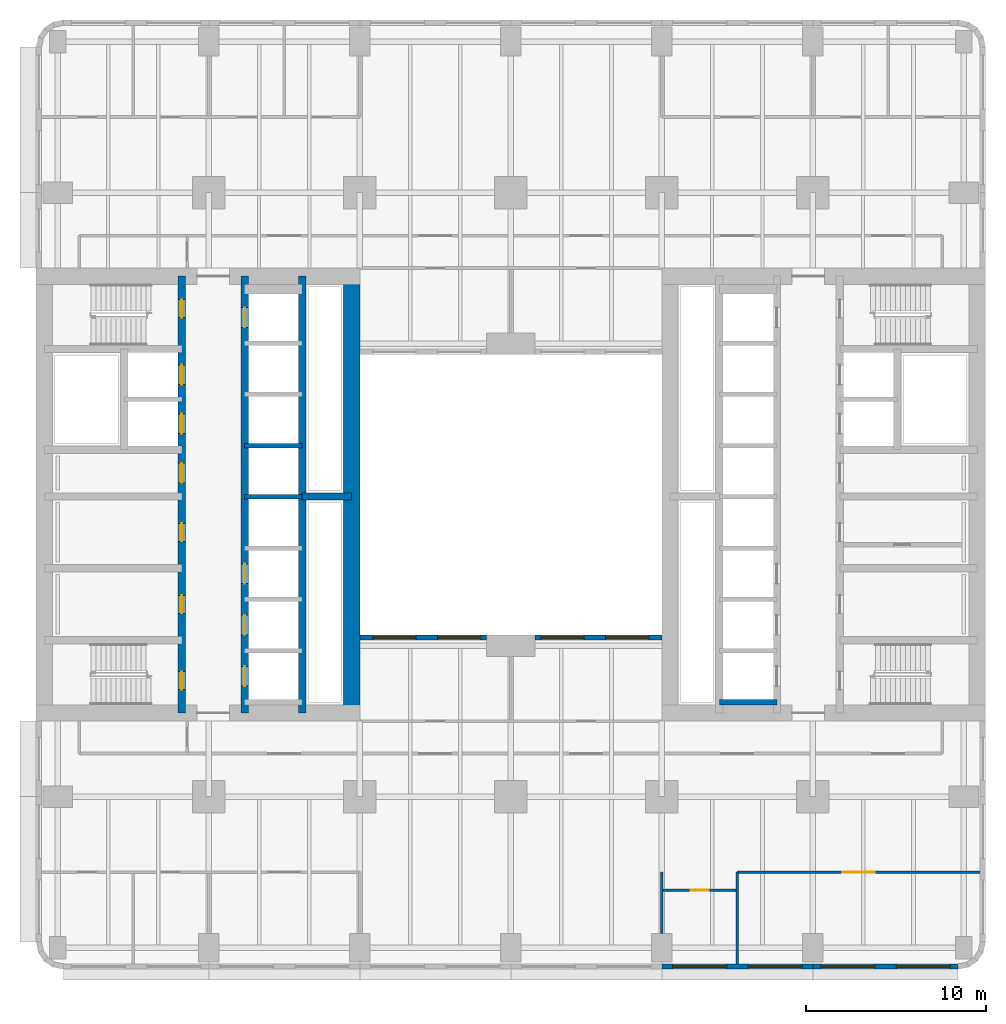
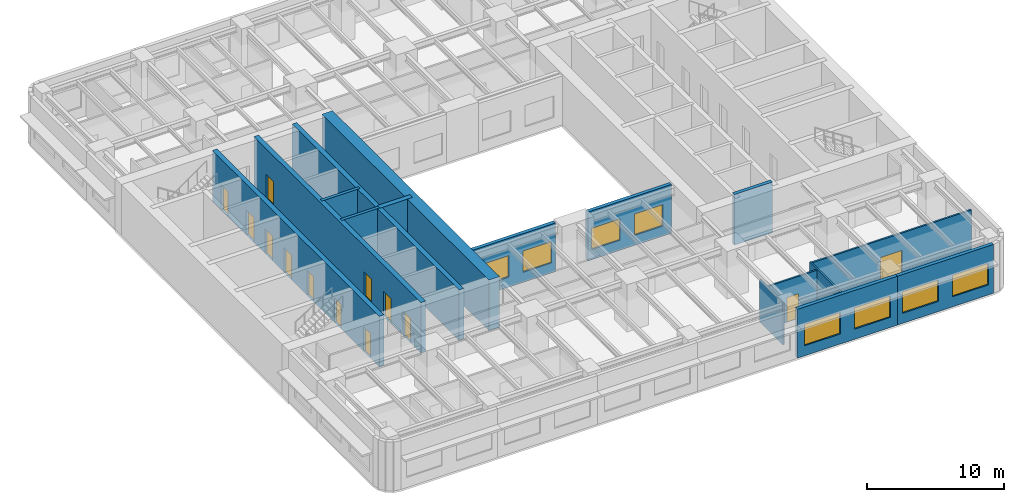
# One storey, part 4 of 14: 16 walls, 13 doors, 8 windows, 21 openings.
"""IFC4 building model written with IfcOpenShell, lengths in metres."""

from ifc_helpers import new_model, si_unit, direction, frame, frame_2d, origin, place, context, subcontext, project, spatial, rectangle, extrude, material, layer, layer_set, type_object, element, fill, save


model = new_model("IFC4")

# Units and contexts
model_context = context("Model", 3, precision=1e-05, world=origin(), true_north=direction((0.0, 1.0)))
body_context = subcontext(model_context, "Body", "Model", "MODEL_VIEW")
ifc_project = project(units=[si_unit("LENGTHUNIT", "METRE"), si_unit("AREAUNIT", "SQUARE_METRE"), si_unit("VOLUMEUNIT", "CUBIC_METRE"), si_unit("PLANEANGLEUNIT", "RADIAN"), si_unit("MASSUNIT", "GRAM", prefix="KILO")], contexts=[model_context])

# Site, building, storey
site_placement = place(None, origin())
site = spatial("IfcSite", under=ifc_project, at=site_placement, CompositionType="ELEMENT")
building_placement = place(site_placement, origin())
building = spatial("IfcBuilding", under=site, at=building_placement, Name="Claustro Exchange Tower", CompositionType="ELEMENT")
storey_placement = place(building_placement, frame((0.0, 0.0, 27.89990234375)))
storey = spatial("IfcBuildingStorey", under=building, at=storey_placement, Name="L06", CompositionType="ELEMENT", Elevation=27.89990234375)

# Wall, opening, door
ifc_material_1 = material(Name="Gypsum board on steel studs", Category="steel")
ifc_layer_1 = layer(ifc_material_1, 0.14990234375)
ifc_layer_set_1 = layer_set([ifc_layer_1], Name="Gypsum board on steel studs")
wall_type_1 = type_object("IfcWallType", Name="P1 150 plasterboard partition", PredefinedType="PARTITIONING", material=ifc_layer_set_1)
wall_1_placement = place(storey_placement, frame((33.674072265625, 3.199951171875, 0.0), z_axis=(0.0, 0.0, 1.0), x_axis=(1.0, 0.0, 0.0)))
wall_1 = element("IfcWall", 1, at=wall_1_placement, inside=storey, type_object=wall_type_1, Name="Partition P1 L06", PredefinedType="PARTITIONING", context=body_context, shape_type="SweptSolid", body=[
    extrude(rectangle(XDim=4.052001953125, YDim=0.14990234375, at=frame_2d((2.02587890625, 0.0))), origin(), (0.0, 0.0, 1.0), 3.739990234375),
])
opening_1_placement = place(wall_1_placement, frame((1.52587890625, 0.0, 0.0)))
opening_1 = element("IfcOpeningElement", 2, at=opening_1_placement, cuts=wall_1, Name="Opening D1", PredefinedType="OPENING", context=body_context, shape_type="SweptSolid", body=[
    extrude(rectangle(XDim=1.0, YDim=2.199951171875, at=frame_2d((0.5, 1.10009765625))), frame((0.0, 0.0849609375, 0.0), z_axis=(0.0, -1.0, 0.0), x_axis=(1.0, 0.0, 0.0)), (0.0, 0.0, 1.0), 0.169921875),
])
ifc_material_2 = material(Name="Timber door, oak veneer", Category="wood")
door_type_1 = type_object("IfcDoorType", Name="D1 1000 x 2200 single door", OperationType="SINGLE_SWING_LEFT", PredefinedType="DOOR", material=ifc_material_2)
door_1_placement = place(opening_1_placement, frame((1.0, 0.0, 0.0), z_axis=(0.0, 0.0, 1.0), x_axis=(-1.0, 0.0, 0.0)))
door_1 = element("IfcDoor", 3, at=door_1_placement, inside=storey, type_object=door_type_1, Name="Door D1 L06", OperationType="SINGLE_SWING_LEFT", OverallHeight=2.199951171875, OverallWidth=1.0, PredefinedType="DOOR", context=body_context, shape_type="SweptSolid", body=[
    extrude(rectangle(XDim=1.0, YDim=2.199951171875, at=frame_2d((0.5, 1.10009765625))), frame((0.0, 0.02490234375, 0.0), z_axis=(0.0, -1.0, 0.0), x_axis=(1.0, 0.0, 0.0)), (0.0, 0.0, 1.0), 0.050048828125),
])
fill(opening_1, door_1)

wall_2_placement = place(storey_placement, frame((37.800048828125, 4.199951171875, 0.0), z_axis=(0.0, 0.0, 1.0), x_axis=(1.0, 0.0, 0.0)))
wall_2 = element("IfcWall", 4, at=wall_2_placement, inside=storey, type_object=wall_type_1, Name="Partition P1 L06", PredefinedType="PARTITIONING", context=body_context, shape_type="SweptSolid", body=[
    extrude(rectangle(XDim=13.501953125, YDim=0.14990234375, at=frame_2d((6.7509765625, 0.0))), origin(), (0.0, 0.0, 1.0), 3.739990234375),
])
opening_2_placement = place(wall_2_placement, frame((5.85009765625, 0.0, 0.0)))
opening_2 = element("IfcOpeningElement", 5, at=opening_2_placement, cuts=wall_2, Name="Opening D2", PredefinedType="OPENING", context=body_context, shape_type="SweptSolid", body=[
    extrude(rectangle(XDim=1.800048828125, YDim=2.199951171875, at=frame_2d((0.89990234375, 1.10009765625))), frame((0.0, 0.0849609375, 0.0), z_axis=(0.0, -1.0, 0.0), x_axis=(1.0, 0.0, 0.0)), (0.0, 0.0, 1.0), 0.169921875),
])
ifc_material_3 = material(Name="Timber door, oak veneer", Category="wood")
door_type_2 = type_object("IfcDoorType", Name="D2 1800 x 2200 double door", OperationType="DOUBLE_DOOR_SINGLE_SWING", PredefinedType="DOOR", material=ifc_material_3)
door_2_placement = place(opening_2_placement, frame((1.800048828125, 0.0, 0.0), z_axis=(0.0, 0.0, 1.0), x_axis=(-1.0, 0.0, 0.0)))
door_2 = element("IfcDoor", 6, at=door_2_placement, inside=storey, type_object=door_type_2, Name="Double door D2 L06", OperationType="DOUBLE_DOOR_SINGLE_SWING", OverallHeight=2.199951171875, OverallWidth=1.800048828125, PredefinedType="DOOR", context=body_context, shape_type="SweptSolid", body=[
    extrude(rectangle(XDim=1.800048828125, YDim=2.199951171875, at=frame_2d((0.89990234375, 1.10009765625))), frame((0.0, 0.02490234375, 0.0), z_axis=(0.0, -1.0, 0.0), x_axis=(1.0, 0.0, 0.0)), (0.0, 0.0, 1.0), 0.050048828125),
])
fill(opening_2, door_2)

# Walls
wall_3_placement = place(storey_placement, frame((33.60009765625, 0.799072265625, 0.0), z_axis=(0.0, 0.0, 1.0), x_axis=(0.0, 1.0, 0.0)))
element("IfcWall", 7, at=wall_3_placement, inside=storey, type_object=wall_type_1, Name="Partition P1 L06", PredefinedType="PARTITIONING", context=body_context, shape_type="SweptSolid", body=[
    extrude(rectangle(XDim=3.40087890625, YDim=0.14990234375, at=frame_2d((1.700439453125, 0.0))), origin(), (0.0, 0.0, 1.0), 3.739990234375),
])
wall_4_placement = place(storey_placement, frame((37.800048828125, -0.902099609375, 0.0), z_axis=(0.0, 0.0, 1.0), x_axis=(0.0, 1.0, 0.0)))
element("IfcWall", 8, at=wall_4_placement, inside=storey, type_object=wall_type_1, Name="Partition P1 L06", PredefinedType="PARTITIONING", context=body_context, shape_type="SweptSolid", body=[
    extrude(rectangle(XDim=5.10205078125, YDim=0.14990234375, at=frame_2d((2.551025390625, 0.0))), origin(), (0.0, 0.0, 1.0), 3.840087890625),
])

# Wall, openings, windows
ifc_material_4 = material(Name="Concrete HA-40 (C40/50), precast, white cement, acid-etched", Category="concrete")
ifc_layer_2 = layer(ifc_material_4, 0.300048828125)
ifc_layer_set_2 = layer_set([ifc_layer_2], Name="Concrete HA-40 (C40/50), precast, white cement, acid-etched")
wall_type_2 = type_object("IfcWallType", Name="PC1 300 precast concrete pier panel", PredefinedType="SOLIDWALL", material=ifc_layer_set_2)
wall_5_placement = place(storey_placement, frame((50.085205078125, -1.050048828125, 0.0), z_axis=(0.0, 0.0, 1.0), x_axis=(-1.0, 0.0, 0.0)))
wall_5 = element("IfcWall", 9, at=wall_5_placement, inside=storey, type_object=wall_type_2, Name="Precast pier panel PC1 L06", PredefinedType="SOLIDWALL", context=body_context, shape_type="SweptSolid", body=[
    extrude(rectangle(XDim=8.085205078125, YDim=0.300048828125, at=frame_2d((4.04248046875, 0.0))), origin(), (0.0, 0.0, 1.0), 4.340087890625),
])
opening_3_placement = place(wall_5_placement, frame((0.442626953125, 0.0, 0.89990234375)))
opening_3 = element("IfcOpeningElement", 10, at=opening_3_placement, cuts=wall_5, Name="Opening W1", PredefinedType="OPENING", context=body_context, shape_type="SweptSolid", body=[
    extrude(rectangle(XDim=3.0, YDim=1.89990234375, at=frame_2d((1.5, 0.949951171875))), frame((0.0, 0.159912109375, 0.0), z_axis=(0.0, -1.0, 0.0), x_axis=(1.0, 0.0, 0.0)), (0.0, 0.0, 1.0), 0.320068359375),
])
opening_4_placement = place(wall_5_placement, frame((4.642578125, 0.0, 0.89990234375)))
opening_4 = element("IfcOpeningElement", 11, at=opening_4_placement, cuts=wall_5, Name="Opening W1", PredefinedType="OPENING", context=body_context, shape_type="SweptSolid", body=[
    extrude(rectangle(XDim=3.0, YDim=1.89990234375, at=frame_2d((1.5, 0.949951171875))), frame((0.0, 0.159912109375, 0.0), z_axis=(0.0, -1.0, 0.0), x_axis=(1.0, 0.0, 0.0)), (0.0, 0.0, 1.0), 0.320068359375),
])
ifc_material_5 = material(Name="Aluminium frame, clear double glazing", Category="aluminium")
window_type_1 = type_object("IfcWindowType", Name="W1 3000 x 1900 window", PartitioningType="SINGLE_PANEL", PredefinedType="WINDOW", material=ifc_material_5)
window_1_placement = place(opening_3_placement, origin())
window_1 = element("IfcWindow", 12, at=window_1_placement, inside=storey, type_object=window_type_1, Name="Window W1 L06", OverallHeight=1.89990234375, OverallWidth=3.0, PartitioningType="SINGLE_PANEL", PredefinedType="WINDOW", context=body_context, shape_type="SweptSolid", body=[
    extrude(rectangle(XDim=3.0, YDim=1.89990234375, at=frame_2d((1.5, 0.949951171875))), frame((0.0, 0.030029296875, 0.0), z_axis=(0.0, -1.0, 0.0), x_axis=(1.0, 0.0, 0.0)), (0.0, 0.0, 1.0), 0.06005859375),
])
fill(opening_3, window_1)
window_2_placement = place(opening_4_placement, origin())
window_2 = element("IfcWindow", 13, at=window_2_placement, inside=storey, type_object=window_type_1, Name="Window W1 L06", OverallHeight=1.89990234375, OverallWidth=3.0, PartitioningType="SINGLE_PANEL", PredefinedType="WINDOW", context=body_context, shape_type="SweptSolid", body=[
    extrude(rectangle(XDim=3.0, YDim=1.89990234375, at=frame_2d((1.5, 0.949951171875))), frame((0.0, 0.030029296875, 0.0), z_axis=(0.0, -1.0, 0.0), x_axis=(1.0, 0.0, 0.0)), (0.0, 0.0, 1.0), 0.06005859375),
])
fill(opening_4, window_2)

wall_6_placement = place(storey_placement, frame((42.0, -1.050048828125, 0.0), z_axis=(0.0, 0.0, 1.0), x_axis=(-1.0, 0.0, 0.0)))
wall_6 = element("IfcWall", 14, at=wall_6_placement, inside=storey, type_object=wall_type_2, Name="Precast pier panel PC1 L06", PredefinedType="SOLIDWALL", context=body_context, shape_type="SweptSolid", body=[
    extrude(rectangle(XDim=8.39990234375, YDim=0.300048828125, at=frame_2d((4.199951171875, 0.0))), origin(), (0.0, 0.0, 1.0), 4.340087890625),
])
opening_5_placement = place(wall_6_placement, frame((0.60009765625, 0.0, 0.89990234375)))
opening_5 = element("IfcOpeningElement", 15, at=opening_5_placement, cuts=wall_6, Name="Opening W1", PredefinedType="OPENING", context=body_context, shape_type="SweptSolid", body=[
    extrude(rectangle(XDim=3.0, YDim=1.89990234375, at=frame_2d((1.5, 0.949951171875))), frame((0.0, 0.159912109375, 0.0), z_axis=(0.0, -1.0, 0.0), x_axis=(1.0, 0.0, 0.0)), (0.0, 0.0, 1.0), 0.320068359375),
])
opening_6_placement = place(wall_6_placement, frame((4.800048828125, 0.0, 0.89990234375)))
opening_6 = element("IfcOpeningElement", 16, at=opening_6_placement, cuts=wall_6, Name="Opening W1", PredefinedType="OPENING", context=body_context, shape_type="SweptSolid", body=[
    extrude(rectangle(XDim=3.0, YDim=1.89990234375, at=frame_2d((1.5, 0.949951171875))), frame((0.0, 0.159912109375, 0.0), z_axis=(0.0, -1.0, 0.0), x_axis=(1.0, 0.0, 0.0)), (0.0, 0.0, 1.0), 0.320068359375),
])
window_3_placement = place(opening_5_placement, origin())
window_3 = element("IfcWindow", 17, at=window_3_placement, inside=storey, type_object=window_type_1, Name="Window W1 L06", OverallHeight=1.89990234375, OverallWidth=3.0, PartitioningType="SINGLE_PANEL", PredefinedType="WINDOW", context=body_context, shape_type="SweptSolid", body=[
    extrude(rectangle(XDim=3.0, YDim=1.89990234375, at=frame_2d((1.5, 0.949951171875))), frame((0.0, 0.030029296875, 0.0), z_axis=(0.0, -1.0, 0.0), x_axis=(1.0, 0.0, 0.0)), (0.0, 0.0, 1.0), 0.06005859375),
])
fill(opening_5, window_3)
window_4_placement = place(opening_6_placement, origin())
window_4 = element("IfcWindow", 18, at=window_4_placement, inside=storey, type_object=window_type_1, Name="Window W1 L06", OverallHeight=1.89990234375, OverallWidth=3.0, PartitioningType="SINGLE_PANEL", PredefinedType="WINDOW", context=body_context, shape_type="SweptSolid", body=[
    extrude(rectangle(XDim=3.0, YDim=1.89990234375, at=frame_2d((1.5, 0.949951171875))), frame((0.0, 0.030029296875, 0.0), z_axis=(0.0, -1.0, 0.0), x_axis=(1.0, 0.0, 0.0)), (0.0, 0.0, 1.0), 0.06005859375),
])
fill(opening_6, window_4)

wall_7_placement = place(storey_placement, frame((16.800048828125, 17.25, 0.0), z_axis=(0.0, 0.0, 1.0), x_axis=(1.0, 0.0, 0.0)))
wall_7 = element("IfcWall", 19, at=wall_7_placement, inside=storey, type_object=wall_type_2, Name="Precast pier panel PC1 L06", PredefinedType="SOLIDWALL", context=body_context, shape_type="SweptSolid", body=[
    extrude(rectangle(XDim=7.050048828125, YDim=0.300048828125, at=frame_2d((3.52490234375, 0.0))), origin(), (0.0, 0.0, 1.0), 4.340087890625),
])
opening_7_placement = place(wall_7_placement, frame((0.72509765625, 0.0, 0.89990234375)))
opening_7 = element("IfcOpeningElement", 20, at=opening_7_placement, cuts=wall_7, Name="Opening W2", PredefinedType="OPENING", context=body_context, shape_type="SweptSolid", body=[
    extrude(rectangle(XDim=2.39990234375, YDim=1.89990234375, at=frame_2d((1.199951171875, 0.949951171875))), frame((0.0, 0.159912109375, 0.0), z_axis=(0.0, -1.0, 0.0), x_axis=(1.0, 0.0, 0.0)), (0.0, 0.0, 1.0), 0.320068359375),
])
opening_8_placement = place(wall_7_placement, frame((4.324951171875, 0.0, 0.89990234375)))
opening_8 = element("IfcOpeningElement", 21, at=opening_8_placement, cuts=wall_7, Name="Opening W2", PredefinedType="OPENING", context=body_context, shape_type="SweptSolid", body=[
    extrude(rectangle(XDim=2.39990234375, YDim=1.89990234375, at=frame_2d((1.199951171875, 0.949951171875))), frame((0.0, 0.159912109375, 0.0), z_axis=(0.0, -1.0, 0.0), x_axis=(1.0, 0.0, 0.0)), (0.0, 0.0, 1.0), 0.320068359375),
])
ifc_material_6 = material(Name="Aluminium frame, clear double glazing", Category="aluminium")
window_type_2 = type_object("IfcWindowType", Name="W2 2400 x 1900 window", PartitioningType="SINGLE_PANEL", PredefinedType="WINDOW", material=ifc_material_6)
window_5_placement = place(opening_7_placement, origin())
window_5 = element("IfcWindow", 22, at=window_5_placement, inside=storey, type_object=window_type_2, Name="Window W2 L06", OverallHeight=1.89990234375, OverallWidth=2.39990234375, PartitioningType="SINGLE_PANEL", PredefinedType="WINDOW", context=body_context, shape_type="SweptSolid", body=[
    extrude(rectangle(XDim=2.39990234375, YDim=1.89990234375, at=frame_2d((1.199951171875, 0.949951171875))), frame((0.0, 0.030029296875, 0.0), z_axis=(0.0, -1.0, 0.0), x_axis=(1.0, 0.0, 0.0)), (0.0, 0.0, 1.0), 0.06005859375),
])
fill(opening_7, window_5)
window_6_placement = place(opening_8_placement, origin())
window_6 = element("IfcWindow", 23, at=window_6_placement, inside=storey, type_object=window_type_2, Name="Window W2 L06", OverallHeight=1.89990234375, OverallWidth=2.39990234375, PartitioningType="SINGLE_PANEL", PredefinedType="WINDOW", context=body_context, shape_type="SweptSolid", body=[
    extrude(rectangle(XDim=2.39990234375, YDim=1.89990234375, at=frame_2d((1.199951171875, 0.949951171875))), frame((0.0, 0.030029296875, 0.0), z_axis=(0.0, -1.0, 0.0), x_axis=(1.0, 0.0, 0.0)), (0.0, 0.0, 1.0), 0.06005859375),
])
fill(opening_8, window_6)

wall_8_placement = place(storey_placement, frame((26.550048828125, 17.25, 0.0), z_axis=(0.0, 0.0, 1.0), x_axis=(1.0, 0.0, 0.0)))
wall_8 = element("IfcWall", 24, at=wall_8_placement, inside=storey, type_object=wall_type_2, Name="Precast pier panel PC1 L06", PredefinedType="SOLIDWALL", context=body_context, shape_type="SweptSolid", body=[
    extrude(rectangle(XDim=7.050048828125, YDim=0.300048828125, at=frame_2d((3.52490234375, 0.0))), origin(), (0.0, 0.0, 1.0), 4.340087890625),
])
opening_9_placement = place(wall_8_placement, frame((0.324951171875, 0.0, 0.89990234375)))
opening_9 = element("IfcOpeningElement", 25, at=opening_9_placement, cuts=wall_8, Name="Opening W2", PredefinedType="OPENING", context=body_context, shape_type="SweptSolid", body=[
    extrude(rectangle(XDim=2.39990234375, YDim=1.89990234375, at=frame_2d((1.199951171875, 0.949951171875))), frame((0.0, 0.159912109375, 0.0), z_axis=(0.0, -1.0, 0.0), x_axis=(1.0, 0.0, 0.0)), (0.0, 0.0, 1.0), 0.320068359375),
])
opening_10_placement = place(wall_8_placement, frame((3.925048828125, 0.0, 0.89990234375)))
opening_10 = element("IfcOpeningElement", 26, at=opening_10_placement, cuts=wall_8, Name="Opening W2", PredefinedType="OPENING", context=body_context, shape_type="SweptSolid", body=[
    extrude(rectangle(XDim=2.39990234375, YDim=1.89990234375, at=frame_2d((1.199951171875, 0.949951171875))), frame((0.0, 0.159912109375, 0.0), z_axis=(0.0, -1.0, 0.0), x_axis=(1.0, 0.0, 0.0)), (0.0, 0.0, 1.0), 0.320068359375),
])
window_7_placement = place(opening_9_placement, origin())
window_7 = element("IfcWindow", 27, at=window_7_placement, inside=storey, type_object=window_type_2, Name="Window W2 L06", OverallHeight=1.89990234375, OverallWidth=2.39990234375, PartitioningType="SINGLE_PANEL", PredefinedType="WINDOW", context=body_context, shape_type="SweptSolid", body=[
    extrude(rectangle(XDim=2.39990234375, YDim=1.89990234375, at=frame_2d((1.199951171875, 0.949951171875))), frame((0.0, 0.030029296875, 0.0), z_axis=(0.0, -1.0, 0.0), x_axis=(1.0, 0.0, 0.0)), (0.0, 0.0, 1.0), 0.06005859375),
])
fill(opening_9, window_7)
window_8_placement = place(opening_10_placement, origin())
window_8 = element("IfcWindow", 28, at=window_8_placement, inside=storey, type_object=window_type_2, Name="Window W2 L06", OverallHeight=1.89990234375, OverallWidth=2.39990234375, PartitioningType="SINGLE_PANEL", PredefinedType="WINDOW", context=body_context, shape_type="SweptSolid", body=[
    extrude(rectangle(XDim=2.39990234375, YDim=1.89990234375, at=frame_2d((1.199951171875, 0.949951171875))), frame((0.0, 0.030029296875, 0.0), z_axis=(0.0, -1.0, 0.0), x_axis=(1.0, 0.0, 0.0)), (0.0, 0.0, 1.0), 0.06005859375),
])
fill(opening_10, window_8)

# Wall
ifc_material_7 = material(Name="Concrete HA-70 (C70/85)", Category="concrete")
ifc_layer_3 = layer(ifc_material_7, 0.89990234375)
ifc_layer_set_3 = layer_set([ifc_layer_3], Name="Concrete HA-70 (C70/85)")
wall_type_3 = type_object("IfcWallType", Name="SW1X 900 exposed core shear wall, board-marked face", PredefinedType="SHEAR", material=ifc_layer_set_3)
wall_9_placement = place(storey_placement, frame((16.35009765625, 13.050048828125, 0.0), z_axis=(0.0, 0.0, 1.0), x_axis=(0.0, 1.0, 0.0)))
element("IfcWall", 29, at=wall_9_placement, inside=storey, type_object=wall_type_3, Name="Core wall SW1X W core E face L06", PredefinedType="SHEAR", context=body_context, shape_type="SweptSolid", body=[
    extrude(rectangle(XDim=24.300048828125, YDim=0.89990234375, at=frame_2d((12.14990234375, 0.0))), origin(), (0.0, 0.0, 1.0), 4.5),
])

# Wall, openings, doors
ifc_material_8 = material(Name="Concrete HA-50 (C50/60)", Category="concrete")
ifc_layer_4 = layer(ifc_material_8, 0.39990234375)
ifc_layer_set_4 = layer_set([ifc_layer_4], Name="Concrete HA-50 (C50/60)")
wall_type_4 = type_object("IfcWallType", Name="SW4 400 internal core wall", PredefinedType="SHEAR", material=ifc_layer_set_4)
wall_10_placement = place(storey_placement, frame((6.89990234375, 13.050048828125, 0.0), z_axis=(0.0, 0.0, 1.0), x_axis=(0.0, 1.0, 0.0)))
wall_10 = element("IfcWall", 30, at=wall_10_placement, inside=storey, type_object=wall_type_4, Name="Internal core wall SW4 W core L06", PredefinedType="SHEAR", context=body_context, shape_type="SweptSolid", body=[
    extrude(rectangle(XDim=24.300048828125, YDim=0.39990234375, at=frame_2d((12.14990234375, 0.0))), origin(), (0.0, 0.0, 1.0), 4.5),
])
opening_11_placement = place(wall_10_placement, frame((1.300048828125, 0.0, 0.0)))
opening_11 = element("IfcOpeningElement", 31, at=opening_11_placement, cuts=wall_10, Name="Opening D4", PredefinedType="OPENING", context=body_context, shape_type="SweptSolid", body=[
    extrude(rectangle(XDim=1.0, YDim=2.199951171875, at=frame_2d((0.5, 1.10009765625))), frame((0.0, 0.2099609375, 0.0), z_axis=(0.0, -1.0, 0.0), x_axis=(1.0, 0.0, 0.0)), (0.0, 0.0, 1.0), 0.419921875),
])
opening_12_placement = place(wall_10_placement, frame((22.0, 0.0, 0.0)))
opening_12 = element("IfcOpeningElement", 32, at=opening_12_placement, cuts=wall_10, Name="Opening D4", PredefinedType="OPENING", context=body_context, shape_type="SweptSolid", body=[
    extrude(rectangle(XDim=1.0, YDim=2.199951171875, at=frame_2d((0.5, 1.10009765625))), frame((0.0, 0.2099609375, 0.0), z_axis=(0.0, -1.0, 0.0), x_axis=(1.0, 0.0, 0.0)), (0.0, 0.0, 1.0), 0.419921875),
])
opening_13_placement = place(wall_10_placement, frame((5.550048828125, 0.0, 0.0)))
opening_13 = element("IfcOpeningElement", 33, at=opening_13_placement, cuts=wall_10, Name="Opening D1", PredefinedType="OPENING", context=body_context, shape_type="SweptSolid", body=[
    extrude(rectangle(XDim=1.0, YDim=2.199951171875, at=frame_2d((0.5, 1.10009765625))), frame((0.0, 0.2099609375, 0.0), z_axis=(0.0, -1.0, 0.0), x_axis=(1.0, 0.0, 0.0)), (0.0, 0.0, 1.0), 0.419921875),
])
opening_14_placement = place(wall_10_placement, frame((9.550048828125, 0.0, 0.0)))
opening_14 = element("IfcOpeningElement", 34, at=opening_14_placement, cuts=wall_10, Name="Opening D1", PredefinedType="OPENING", context=body_context, shape_type="SweptSolid", body=[
    extrude(rectangle(XDim=1.0, YDim=2.199951171875, at=frame_2d((0.5, 1.10009765625))), frame((0.0, 0.2099609375, 0.0), z_axis=(0.0, -1.0, 0.0), x_axis=(1.0, 0.0, 0.0)), (0.0, 0.0, 1.0), 0.419921875),
])
opening_15_placement = place(wall_10_placement, frame((12.800048828125, 0.0, 0.0)))
opening_15 = element("IfcOpeningElement", 35, at=opening_15_placement, cuts=wall_10, Name="Opening D10", PredefinedType="OPENING", context=body_context, shape_type="SweptSolid", body=[
    extrude(rectangle(XDim=1.10009765625, YDim=2.199951171875, at=frame_2d((0.550048828125, 1.10009765625))), frame((0.0, 0.2099609375, 0.0), z_axis=(0.0, -1.0, 0.0), x_axis=(1.0, 0.0, 0.0)), (0.0, 0.0, 1.0), 0.419921875),
])
opening_16_placement = place(wall_10_placement, frame((15.53759765625, 0.0, 0.0)))
opening_16 = element("IfcOpeningElement", 36, at=opening_16_placement, cuts=wall_10, Name="Opening LD", PredefinedType="OPENING", context=body_context, shape_type="SweptSolid", body=[
    extrude(rectangle(XDim=1.10009765625, YDim=2.199951171875, at=frame_2d((0.550048828125, 1.10009765625))), frame((0.0, 0.2099609375, 0.0), z_axis=(0.0, -1.0, 0.0), x_axis=(1.0, 0.0, 0.0)), (0.0, 0.0, 1.0), 0.419921875),
])
opening_17_placement = place(wall_10_placement, frame((18.262451171875, 0.0, 0.0)))
opening_17 = element("IfcOpeningElement", 37, at=opening_17_placement, cuts=wall_10, Name="Opening LD", PredefinedType="OPENING", context=body_context, shape_type="SweptSolid", body=[
    extrude(rectangle(XDim=1.10009765625, YDim=2.199951171875, at=frame_2d((0.550048828125, 1.10009765625))), frame((0.0, 0.2099609375, 0.0), z_axis=(0.0, -1.0, 0.0), x_axis=(1.0, 0.0, 0.0)), (0.0, 0.0, 1.0), 0.419921875),
])
door_3_placement = place(opening_13_placement, origin())
door_3 = element("IfcDoor", 38, at=door_3_placement, inside=storey, type_object=door_type_1, Name="Door D1 L06", OperationType="SINGLE_SWING_RIGHT", OverallHeight=2.199951171875, OverallWidth=1.0, PredefinedType="DOOR", context=body_context, shape_type="SweptSolid", body=[
    extrude(rectangle(XDim=1.0, YDim=2.199951171875, at=frame_2d((0.5, 1.10009765625))), frame((0.0, 0.02490234375, 0.0), z_axis=(0.0, -1.0, 0.0), x_axis=(1.0, 0.0, 0.0)), (0.0, 0.0, 1.0), 0.050048828125),
])
fill(opening_13, door_3)
door_4_placement = place(opening_14_placement, origin())
door_4 = element("IfcDoor", 39, at=door_4_placement, inside=storey, type_object=door_type_1, Name="Door D1 L06", OperationType="SINGLE_SWING_RIGHT", OverallHeight=2.199951171875, OverallWidth=1.0, PredefinedType="DOOR", context=body_context, shape_type="SweptSolid", body=[
    extrude(rectangle(XDim=1.0, YDim=2.199951171875, at=frame_2d((0.5, 1.10009765625))), frame((0.0, 0.02490234375, 0.0), z_axis=(0.0, -1.0, 0.0), x_axis=(1.0, 0.0, 0.0)), (0.0, 0.0, 1.0), 0.050048828125),
])
fill(opening_14, door_4)
ifc_material_9 = material(Name="Timber door, oak veneer", Category="wood")
door_type_3 = type_object("IfcDoorType", Name="D10 1100 x 2200 accessible WC door", OperationType="SINGLE_SWING_LEFT", PredefinedType="DOOR", material=ifc_material_9)
door_5_placement = place(opening_15_placement, frame((1.10009765625, 0.0, 0.0), z_axis=(0.0, 0.0, 1.0), x_axis=(-1.0, 0.0, 0.0)))
door_5 = element("IfcDoor", 40, at=door_5_placement, inside=storey, type_object=door_type_3, Name="Accessible WC door D10 L06", OperationType="SINGLE_SWING_LEFT", OverallHeight=2.199951171875, OverallWidth=1.10009765625, PredefinedType="DOOR", context=body_context, shape_type="SweptSolid", body=[
    extrude(rectangle(XDim=1.10009765625, YDim=2.199951171875, at=frame_2d((0.550048828125, 1.10009765625))), frame((0.0, 0.02490234375, 0.0), z_axis=(0.0, -1.0, 0.0), x_axis=(1.0, 0.0, 0.0)), (0.0, 0.0, 1.0), 0.050048828125),
])
fill(opening_15, door_5)
ifc_material_10 = material(Name="Steel fire door, painted", Category="steel")
door_type_4 = type_object("IfcDoorType", Name="D4 1000 x 2200 fire-rated stair door", OperationType="SINGLE_SWING_LEFT", PredefinedType="DOOR", material=ifc_material_10)
door_6_placement = place(opening_11_placement, origin())
door_6 = element("IfcDoor", 41, at=door_6_placement, inside=storey, type_object=door_type_4, Name="Stair door D4 L06", OperationType="SINGLE_SWING_LEFT", OverallHeight=2.199951171875, OverallWidth=1.0, PredefinedType="DOOR", context=body_context, shape_type="SweptSolid", body=[
    extrude(rectangle(XDim=1.0, YDim=2.199951171875, at=frame_2d((0.5, 1.10009765625))), frame((0.0, 0.02490234375, 0.0), z_axis=(0.0, -1.0, 0.0), x_axis=(1.0, 0.0, 0.0)), (0.0, 0.0, 1.0), 0.050048828125),
])
fill(opening_11, door_6)
door_7_placement = place(opening_12_placement, origin())
door_7 = element("IfcDoor", 42, at=door_7_placement, inside=storey, type_object=door_type_4, Name="Stair door D4 L06", OperationType="SINGLE_SWING_RIGHT", OverallHeight=2.199951171875, OverallWidth=1.0, PredefinedType="DOOR", context=body_context, shape_type="SweptSolid", body=[
    extrude(rectangle(XDim=1.0, YDim=2.199951171875, at=frame_2d((0.5, 1.10009765625))), frame((0.0, 0.02490234375, 0.0), z_axis=(0.0, -1.0, 0.0), x_axis=(1.0, 0.0, 0.0)), (0.0, 0.0, 1.0), 0.050048828125),
])
fill(opening_12, door_7)
ifc_material_11 = material(Name="Stainless steel sliding door", Category="steel")
door_type_5 = type_object("IfcDoorType", Name="LD 1100 x 2200 lift landing door", OperationType="DOUBLE_DOOR_SLIDING", PredefinedType="DOOR", material=ifc_material_11)
door_8_placement = place(opening_16_placement, origin())
door_8 = element("IfcDoor", 43, at=door_8_placement, inside=storey, type_object=door_type_5, Name="Lift landing door LEW1 LD L06", OperationType="DOUBLE_DOOR_SLIDING", OverallHeight=2.199951171875, OverallWidth=1.10009765625, PredefinedType="DOOR", context=body_context, shape_type="SweptSolid", body=[
    extrude(rectangle(XDim=1.10009765625, YDim=2.199951171875, at=frame_2d((0.550048828125, 1.10009765625))), frame((0.0, 0.02490234375, 0.0), z_axis=(0.0, -1.0, 0.0), x_axis=(1.0, 0.0, 0.0)), (0.0, 0.0, 1.0), 0.050048828125),
])
fill(opening_16, door_8)
door_9_placement = place(opening_17_placement, origin())
door_9 = element("IfcDoor", 44, at=door_9_placement, inside=storey, type_object=door_type_5, Name="Lift landing door LEW2 LD L06", OperationType="DOUBLE_DOOR_SLIDING", OverallHeight=2.199951171875, OverallWidth=1.10009765625, PredefinedType="DOOR", context=body_context, shape_type="SweptSolid", body=[
    extrude(rectangle(XDim=1.10009765625, YDim=2.199951171875, at=frame_2d((0.550048828125, 1.10009765625))), frame((0.0, 0.02490234375, 0.0), z_axis=(0.0, -1.0, 0.0), x_axis=(1.0, 0.0, 0.0)), (0.0, 0.0, 1.0), 0.050048828125),
])
fill(opening_17, door_9)

wall_11_placement = place(storey_placement, frame((10.39990234375, 13.050048828125, 0.0), z_axis=(0.0, 0.0, 1.0), x_axis=(0.0, 1.0, 0.0)))
wall_11 = element("IfcWall", 45, at=wall_11_placement, inside=storey, type_object=wall_type_4, Name="Internal core wall SW4 W core L06", PredefinedType="SHEAR", context=body_context, shape_type="SweptSolid", body=[
    extrude(rectangle(XDim=24.300048828125, YDim=0.39990234375, at=frame_2d((12.14990234375, 0.0))), origin(), (0.0, 0.0, 1.0), 4.5),
])
opening_18_placement = place(wall_11_placement, frame((1.5, 0.0, 0.0)))
opening_18 = element("IfcOpeningElement", 46, at=opening_18_placement, cuts=wall_11, Name="Opening LD", PredefinedType="OPENING", context=body_context, shape_type="SweptSolid", body=[
    extrude(rectangle(XDim=1.10009765625, YDim=2.199951171875, at=frame_2d((0.550048828125, 1.10009765625))), frame((0.0, 0.2099609375, 0.0), z_axis=(0.0, -1.0, 0.0), x_axis=(1.0, 0.0, 0.0)), (0.0, 0.0, 1.0), 0.419921875),
])
opening_19_placement = place(wall_11_placement, frame((4.35009765625, 0.0, 0.0)))
opening_19 = element("IfcOpeningElement", 47, at=opening_19_placement, cuts=wall_11, Name="Opening LD", PredefinedType="OPENING", context=body_context, shape_type="SweptSolid", body=[
    extrude(rectangle(XDim=1.10009765625, YDim=2.199951171875, at=frame_2d((0.550048828125, 1.10009765625))), frame((0.0, 0.2099609375, 0.0), z_axis=(0.0, -1.0, 0.0), x_axis=(1.0, 0.0, 0.0)), (0.0, 0.0, 1.0), 0.419921875),
])
opening_20_placement = place(wall_11_placement, frame((7.199951171875, 0.0, 0.0)))
opening_20 = element("IfcOpeningElement", 48, at=opening_20_placement, cuts=wall_11, Name="Opening LD", PredefinedType="OPENING", context=body_context, shape_type="SweptSolid", body=[
    extrude(rectangle(XDim=1.10009765625, YDim=2.199951171875, at=frame_2d((0.550048828125, 1.10009765625))), frame((0.0, 0.2099609375, 0.0), z_axis=(0.0, -1.0, 0.0), x_axis=(1.0, 0.0, 0.0)), (0.0, 0.0, 1.0), 0.419921875),
])
opening_21_placement = place(wall_11_placement, frame((21.449951171875, 0.0, 0.0)))
opening_21 = element("IfcOpeningElement", 49, at=opening_21_placement, cuts=wall_11, Name="Opening LD", PredefinedType="OPENING", context=body_context, shape_type="SweptSolid", body=[
    extrude(rectangle(XDim=1.10009765625, YDim=2.199951171875, at=frame_2d((0.550048828125, 1.10009765625))), frame((0.0, 0.2099609375, 0.0), z_axis=(0.0, -1.0, 0.0), x_axis=(1.0, 0.0, 0.0)), (0.0, 0.0, 1.0), 0.419921875),
])
door_10_placement = place(opening_18_placement, origin())
door_10 = element("IfcDoor", 50, at=door_10_placement, inside=storey, type_object=door_type_5, Name="Lift landing door LLW1 LD L06", OperationType="DOUBLE_DOOR_SLIDING", OverallHeight=2.199951171875, OverallWidth=1.10009765625, PredefinedType="DOOR", context=body_context, shape_type="SweptSolid", body=[
    extrude(rectangle(XDim=1.10009765625, YDim=2.199951171875, at=frame_2d((0.550048828125, 1.10009765625))), frame((0.0, 0.02490234375, 0.0), z_axis=(0.0, -1.0, 0.0), x_axis=(1.0, 0.0, 0.0)), (0.0, 0.0, 1.0), 0.050048828125),
])
fill(opening_18, door_10)
door_11_placement = place(opening_19_placement, origin())
door_11 = element("IfcDoor", 51, at=door_11_placement, inside=storey, type_object=door_type_5, Name="Lift landing door LLW2 LD L06", OperationType="DOUBLE_DOOR_SLIDING", OverallHeight=2.199951171875, OverallWidth=1.10009765625, PredefinedType="DOOR", context=body_context, shape_type="SweptSolid", body=[
    extrude(rectangle(XDim=1.10009765625, YDim=2.199951171875, at=frame_2d((0.550048828125, 1.10009765625))), frame((0.0, 0.02490234375, 0.0), z_axis=(0.0, -1.0, 0.0), x_axis=(1.0, 0.0, 0.0)), (0.0, 0.0, 1.0), 0.050048828125),
])
fill(opening_19, door_11)
door_12_placement = place(opening_20_placement, origin())
door_12 = element("IfcDoor", 52, at=door_12_placement, inside=storey, type_object=door_type_5, Name="Lift landing door LLW3 LD L06", OperationType="DOUBLE_DOOR_SLIDING", OverallHeight=2.199951171875, OverallWidth=1.10009765625, PredefinedType="DOOR", context=body_context, shape_type="SweptSolid", body=[
    extrude(rectangle(XDim=1.10009765625, YDim=2.199951171875, at=frame_2d((0.550048828125, 1.10009765625))), frame((0.0, 0.02490234375, 0.0), z_axis=(0.0, -1.0, 0.0), x_axis=(1.0, 0.0, 0.0)), (0.0, 0.0, 1.0), 0.050048828125),
])
fill(opening_20, door_12)
door_13_placement = place(opening_21_placement, origin())
door_13 = element("IfcDoor", 53, at=door_13_placement, inside=storey, type_object=door_type_5, Name="Lift landing door LSW1 LD L06", OperationType="DOUBLE_DOOR_SLIDING", OverallHeight=2.199951171875, OverallWidth=1.10009765625, PredefinedType="DOOR", context=body_context, shape_type="SweptSolid", body=[
    extrude(rectangle(XDim=1.10009765625, YDim=2.199951171875, at=frame_2d((0.550048828125, 1.10009765625))), frame((0.0, 0.02490234375, 0.0), z_axis=(0.0, -1.0, 0.0), x_axis=(1.0, 0.0, 0.0)), (0.0, 0.0, 1.0), 0.050048828125),
])
fill(opening_21, door_13)

# Walls
wall_12_placement = place(storey_placement, frame((13.60009765625, 13.050048828125, 0.0), z_axis=(0.0, 0.0, 1.0), x_axis=(0.0, 1.0, 0.0)))
element("IfcWall", 54, at=wall_12_placement, inside=storey, type_object=wall_type_4, Name="Internal core wall SW4 W core L06", PredefinedType="SHEAR", context=body_context, shape_type="SweptSolid", body=[
    extrude(rectangle(XDim=24.300048828125, YDim=0.39990234375, at=frame_2d((12.14990234375, 0.0))), origin(), (0.0, 0.0, 1.0), 4.5),
])
wall_13_placement = place(storey_placement, frame((13.60009765625, 25.10009765625, 0.0), z_axis=(0.0, 0.0, 1.0), x_axis=(1.0, 0.0, 0.0)))
element("IfcWall", 55, at=wall_13_placement, inside=storey, type_object=wall_type_4, Name="Internal core wall SW4 W core L06", PredefinedType="SHEAR", context=body_context, shape_type="SweptSolid", body=[
    extrude(rectangle(XDim=2.75, YDim=0.39990234375, at=frame_2d((1.375, 0.0))), origin(), (0.0, 0.0, 1.0), 4.5),
])
ifc_material_12 = material(Name="Concrete HA-50 (C50/60)", Category="concrete")
ifc_layer_5 = layer(ifc_material_12, 0.25)
ifc_layer_set_5 = layer_set([ifc_layer_5], Name="Concrete HA-50 (C50/60)")
wall_type_5 = type_object("IfcWallType", Name="SW5 250 lift shaft divider wall", PredefinedType="SHEAR", material=ifc_layer_set_5)
for number, where, z_axis, x_axis, name in (
    (56, (10.39990234375, 25.074951171875, 0.0), (0.0, 0.0, 1.0), (1.0, 0.0, 0.0), "Lift shaft wall W core L06"),
    (57, (10.39990234375, 27.925048828125, 0.0), (0.0, 0.0, 1.0), (1.0, 0.0, 0.0), "Lift shaft wall W core L06"),
):
    element("IfcWall", number, at=place(storey_placement, frame(where, z_axis=z_axis, x_axis=x_axis)), inside=storey, type_object=wall_type_5, Name=name, PredefinedType="SHEAR", context=body_context, shape_type="SweptSolid", body=[
        extrude(rectangle(XDim=3.2001953125, YDim=0.25, at=frame_2d((1.60009765625, 0.0))), origin(), (0.0, 0.0, 1.0), 4.5),
    ])
ifc_material_13 = material(Name="Concrete HA-50 (C50/60)", Category="concrete")
ifc_layer_6 = layer(ifc_material_13, 0.300048828125)
ifc_layer_set_6 = layer_set([ifc_layer_6], Name="Concrete HA-50 (C50/60)")
wall_type_6 = type_object("IfcWallType", Name="SW6A 300 lift shaft end wall", PredefinedType="SHEAR", material=ifc_layer_set_6)
wall_14_placement = place(storey_placement, frame((40.0, 13.64990234375, 0.0), z_axis=(0.0, 0.0, 1.0), x_axis=(-1.0, 0.0, 0.0)))
element("IfcWall", 58, at=wall_14_placement, inside=storey, type_object=wall_type_6, Name="Lift shaft wall E core L06", PredefinedType="SHEAR", context=body_context, shape_type="SweptSolid", body=[
    extrude(rectangle(XDim=3.199951171875, YDim=0.300048828125, at=frame_2d((1.60009765625, 0.0))), origin(), (0.0, 0.0, 1.0), 4.5),
])

save(model, "model.ifc")
